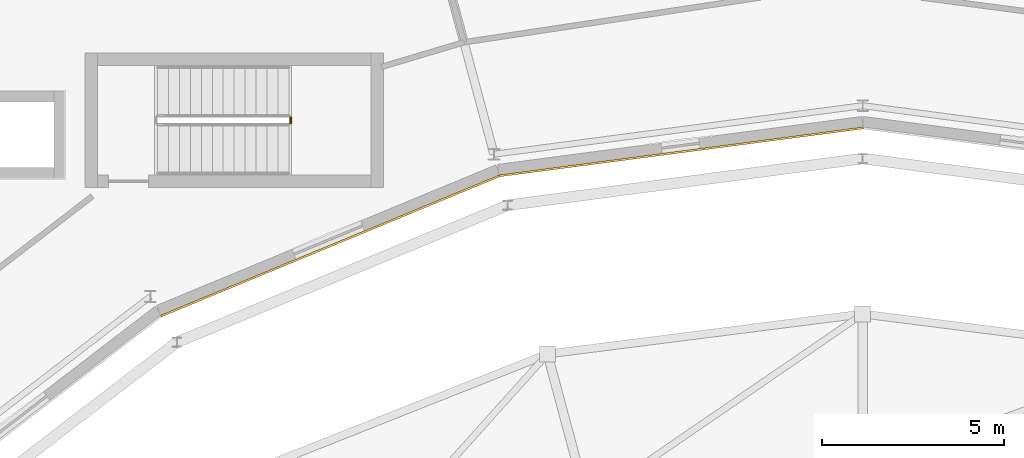
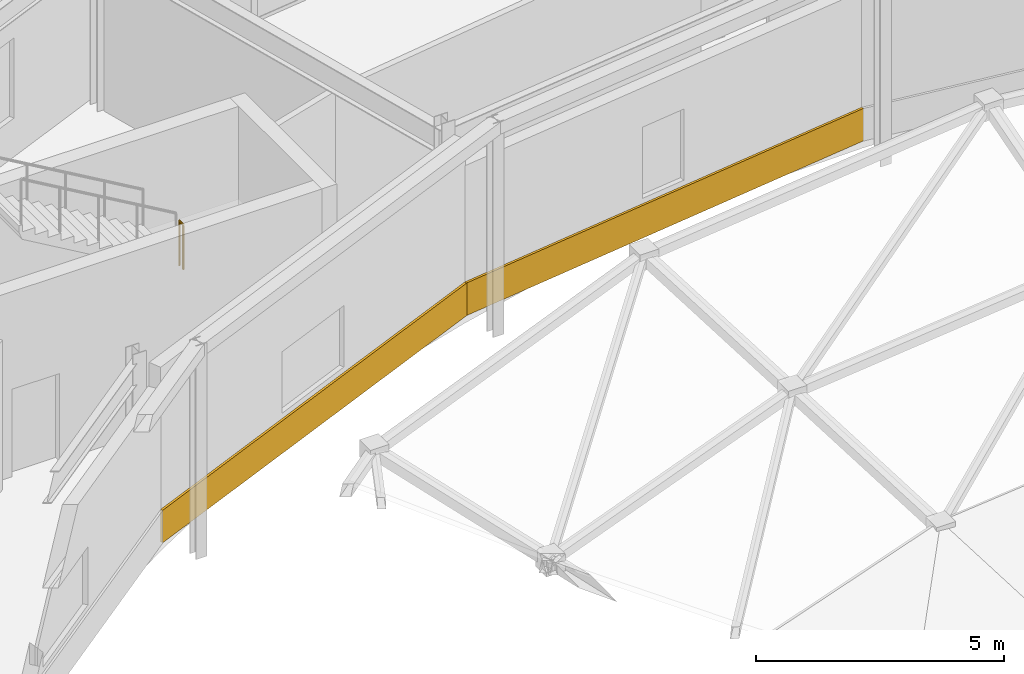
# One storey, part 82 of 89: 2 coverings, 1 railing.
"""IFC4 building model written with IfcOpenShell, lengths in metres."""

from ifc_helpers import new_model, si_unit, direction, frame, origin, origin_2d, place, context, subcontext, project, spatial, rectangle, circle, extrude, material, layer, layer_set, type_object, element, save


model = new_model("IFC4")

# Units and contexts
model_context = context("Model", 3, precision=1e-05, world=origin(), true_north=direction((0.0, 1.0)))
body_context = subcontext(model_context, "Body", "Model", "MODEL_VIEW")
ifc_project = project(units=[si_unit("LENGTHUNIT", "METRE"), si_unit("AREAUNIT", "SQUARE_METRE"), si_unit("VOLUMEUNIT", "CUBIC_METRE"), si_unit("PLANEANGLEUNIT", "RADIAN"), si_unit("MASSUNIT", "GRAM", prefix="KILO")], contexts=[model_context])

# Site, building, storey
site_placement = place(None, origin())
site = spatial("IfcSite", under=ifc_project, at=site_placement, CompositionType="ELEMENT")
building_placement = place(site_placement, origin())
building = spatial("IfcBuilding", under=site, at=building_placement, Name="Almandine Court Research Institute", CompositionType="ELEMENT")
storey_placement = place(building_placement, frame((0.0, 0.0, 18.89990234375)))
storey = spatial("IfcBuildingStorey", under=building, at=storey_placement, Name="L04", CompositionType="ELEMENT", Elevation=18.89990234375)

# Coverings
ifc_material_1 = material(Name="Extruded Cream-Ochre Seismic Terracotta Spandrel", Category="masonry")
ifc_layer = layer(ifc_material_1, 0.054931640625)
ifc_layer_set = layer_set([ifc_layer], Name="Extruded Cream-Ochre Seismic Terracotta Spandrel")
covering_type = type_object("IfcCoveringType", Name="Cov-CLAD-TERR", PredefinedType="CLADDING", material=ifc_layer_set)
for number, where, z_axis, x_axis, name in (
    (1, (82.01904296875, 93.83203125, 0.02001953125), (0.0, 0.0, 1.0), (-0.991444861374, -0.13052619222, 0.0), "L04 Facade Spandrel Cladding Band 415"),
    (2, (72.39697265625, 91.25390625, 0.02001953125), (0.0, 0.0, 1.0), (-0.923879532511, -0.382683432365, 0.0), "L04 Facade Spandrel Cladding Band 417"),
):
    element("IfcCovering", number, at=place(storey_placement, frame(where, z_axis=z_axis, x_axis=x_axis)), inside=storey, type_object=covering_type, Name=name, PredefinedType="CLADDING", context=body_context, shape_type="SweptSolid", body=[
        extrude(rectangle(XDim=10.080078125, YDim=0.054931640625, at=origin_2d()), origin(), (0.0, 0.0, 1.0), 0.800048828125),
    ])

# Railing
ifc_material_2 = material(Name="Powder-Coated Steel Stair and Atrium Balustrade", Category="steel")
railing_type = type_object("IfcRailingType", Name="Rail-GUARD-INT", PredefinedType="BALUSTRADE", material=ifc_material_2)
railing_placement = place(storey_placement, frame((71.300048828125, 94.6201171875, 2.275146484375)))
element("IfcRailing", 3, at=railing_placement, inside=storey, type_object=railing_type, Name="L04 ST-10 stair guard 2", PredefinedType="BALUSTRADE", context=body_context, shape_type="SweptSolid", body=[
    extrude(circle(Radius=0.02392578125, at=origin_2d()), frame((0.0, 0.0, 1.09619140625), z_axis=(0.0, 1.0, 0.0), x_axis=(-1.0, 0.0, 0.0)), (0.0, 0.0, 1.0), 0.159912109375),
    extrude(circle(Radius=0.02099609375, at=origin_2d()), origin(), (0.0, 0.0, 1.0), 1.072021484375),
    extrude(circle(Radius=0.02099609375, at=origin_2d()), frame((0.0, 0.159912109375, 0.0)), (0.0, 0.0, 1.0), 1.072021484375),
])

save(model, "model.ifc")
